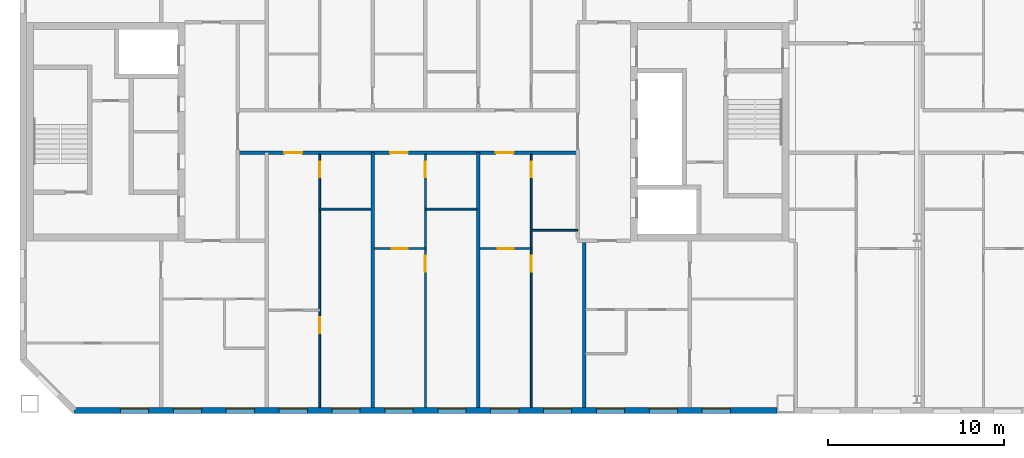
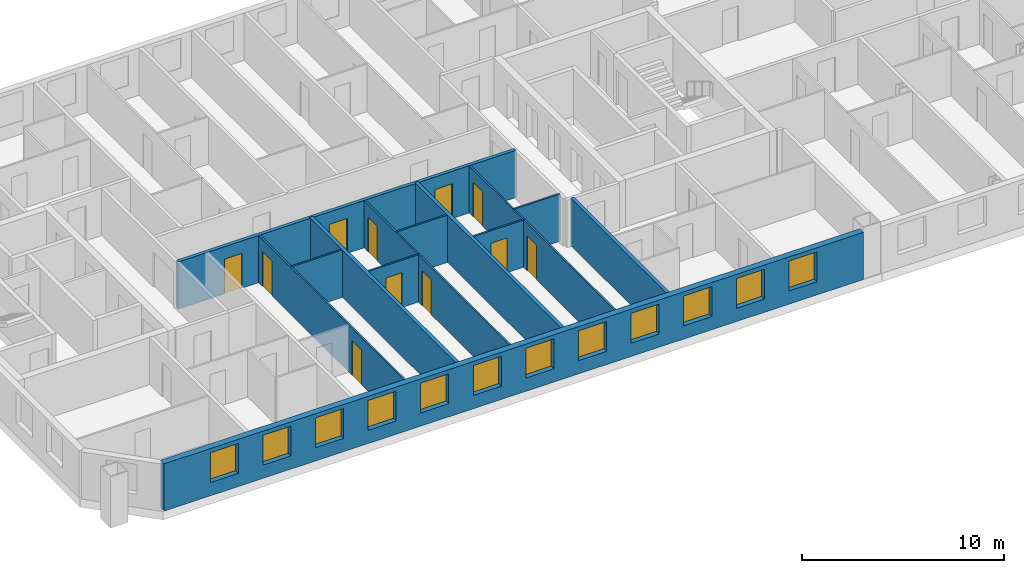
# One storey, part 5 of 19: 13 walls, 12 windows, 11 doors, 23 openings.
"""IFC4 building model written with IfcOpenShell, lengths in metres."""

from ifc_helpers import new_model, si_unit, direction, frame, frame_2d, origin, place, context, subcontext, project, spatial, rectangle, extrude, material, layer, layer_set, type_object, element, fill, save


model = new_model("IFC4")

# Units and contexts
model_context = context("Model", 3, precision=1e-05, world=origin(), true_north=direction((0.0, 1.0)))
body_context = subcontext(model_context, "Body", "Model", "MODEL_VIEW")
ifc_project = project(units=[si_unit("LENGTHUNIT", "METRE"), si_unit("AREAUNIT", "SQUARE_METRE"), si_unit("VOLUMEUNIT", "CUBIC_METRE"), si_unit("PLANEANGLEUNIT", "RADIAN"), si_unit("MASSUNIT", "GRAM", prefix="KILO")], contexts=[model_context])

# Site, building, storey
site_placement = place(None, origin())
site = spatial("IfcSite", under=ifc_project, at=site_placement, CompositionType="ELEMENT")
building_placement = place(site_placement, origin())
building = spatial("IfcBuilding", under=site, at=building_placement, Name="Tuart Gate Housing", CompositionType="ELEMENT")
storey_placement = place(building_placement, frame((0.0, 0.0, 202.800048828125)))
storey = spatial("IfcBuildingStorey", under=building, at=storey_placement, Name="L57", CompositionType="ELEMENT", Elevation=202.800048828125)

# Wall, openings, windows
ifc_material_1 = material(Name="Brick", Category="masonry")
ifc_layer_1 = layer(ifc_material_1, 0.360107421875)
ifc_layer_set_1 = layer_set([ifc_layer_1], Name="Brick pier and spandrel wall 360")
wall_type_1 = type_object("IfcWallType", Name="Brick pier and spandrel wall 360", PredefinedType="STANDARD", material=ifc_layer_set_1)
wall_1_placement = place(storey_placement, frame((35.07470703125, 54.179931640625, 0.0), z_axis=(0.0, 0.0, 1.0), x_axis=(1.0, 0.0, 0.0)))
wall_1 = element("IfcWall", 1, at=wall_1_placement, inside=storey, type_object=wall_type_1, Name="External wall BLK-S L57", PredefinedType="STANDARD", context=body_context, shape_type="SweptSolid", body=[
    extrude(rectangle(XDim=39.875244140625, YDim=0.360107421875, at=frame_2d((19.9375, 0.0))), origin(), (0.0, 0.0, 1.0), 2.849853515625),
])
opening_1_placement = place(wall_1_placement, frame((2.62548828125, 0.0, 0.800048828125)))
opening_1 = element("IfcOpeningElement", 2, at=opening_1_placement, cuts=wall_1, Name="Opening W1", PredefinedType="OPENING", context=body_context, shape_type="SweptSolid", body=[
    extrude(rectangle(XDim=1.60009765625, YDim=1.800048828125, at=frame_2d((0.800048828125, 0.89990234375))), frame((0.0, 0.18994140625, 0.0), z_axis=(0.0, -1.0, 0.0), x_axis=(1.0, 0.0, 0.0)), (0.0, 0.0, 1.0), 0.380126953125),
])
opening_2_placement = place(wall_1_placement, frame((5.62548828125, 0.0, 0.800048828125)))
opening_2 = element("IfcOpeningElement", 3, at=opening_2_placement, cuts=wall_1, Name="Opening W1", PredefinedType="OPENING", context=body_context, shape_type="SweptSolid", body=[
    extrude(rectangle(XDim=1.60009765625, YDim=1.800048828125, at=frame_2d((0.800048828125, 0.89990234375))), frame((0.0, 0.18994140625, 0.0), z_axis=(0.0, -1.0, 0.0), x_axis=(1.0, 0.0, 0.0)), (0.0, 0.0, 1.0), 0.380126953125),
])
opening_3_placement = place(wall_1_placement, frame((8.62548828125, 0.0, 0.800048828125)))
opening_3 = element("IfcOpeningElement", 4, at=opening_3_placement, cuts=wall_1, Name="Opening W1", PredefinedType="OPENING", context=body_context, shape_type="SweptSolid", body=[
    extrude(rectangle(XDim=1.60009765625, YDim=1.800048828125, at=frame_2d((0.800048828125, 0.89990234375))), frame((0.0, 0.18994140625, 0.0), z_axis=(0.0, -1.0, 0.0), x_axis=(1.0, 0.0, 0.0)), (0.0, 0.0, 1.0), 0.380126953125),
])
opening_4_placement = place(wall_1_placement, frame((11.62548828125, 0.0, 0.800048828125)))
opening_4 = element("IfcOpeningElement", 5, at=opening_4_placement, cuts=wall_1, Name="Opening W1", PredefinedType="OPENING", context=body_context, shape_type="SweptSolid", body=[
    extrude(rectangle(XDim=1.60009765625, YDim=1.800048828125, at=frame_2d((0.800048828125, 0.89990234375))), frame((0.0, 0.18994140625, 0.0), z_axis=(0.0, -1.0, 0.0), x_axis=(1.0, 0.0, 0.0)), (0.0, 0.0, 1.0), 0.380126953125),
])
opening_5_placement = place(wall_1_placement, frame((14.62548828125, 0.0, 0.800048828125)))
opening_5 = element("IfcOpeningElement", 6, at=opening_5_placement, cuts=wall_1, Name="Opening W1", PredefinedType="OPENING", context=body_context, shape_type="SweptSolid", body=[
    extrude(rectangle(XDim=1.60009765625, YDim=1.800048828125, at=frame_2d((0.800048828125, 0.89990234375))), frame((0.0, 0.18994140625, 0.0), z_axis=(0.0, -1.0, 0.0), x_axis=(1.0, 0.0, 0.0)), (0.0, 0.0, 1.0), 0.380126953125),
])
opening_6_placement = place(wall_1_placement, frame((17.62548828125, 0.0, 0.800048828125)))
opening_6 = element("IfcOpeningElement", 7, at=opening_6_placement, cuts=wall_1, Name="Opening W1", PredefinedType="OPENING", context=body_context, shape_type="SweptSolid", body=[
    extrude(rectangle(XDim=1.60009765625, YDim=1.800048828125, at=frame_2d((0.800048828125, 0.89990234375))), frame((0.0, 0.18994140625, 0.0), z_axis=(0.0, -1.0, 0.0), x_axis=(1.0, 0.0, 0.0)), (0.0, 0.0, 1.0), 0.380126953125),
])
opening_7_placement = place(wall_1_placement, frame((20.62548828125, 0.0, 0.800048828125)))
opening_7 = element("IfcOpeningElement", 8, at=opening_7_placement, cuts=wall_1, Name="Opening W1", PredefinedType="OPENING", context=body_context, shape_type="SweptSolid", body=[
    extrude(rectangle(XDim=1.60009765625, YDim=1.800048828125, at=frame_2d((0.800048828125, 0.89990234375))), frame((0.0, 0.18994140625, 0.0), z_axis=(0.0, -1.0, 0.0), x_axis=(1.0, 0.0, 0.0)), (0.0, 0.0, 1.0), 0.380126953125),
])
opening_8_placement = place(wall_1_placement, frame((23.62548828125, 0.0, 0.800048828125)))
opening_8 = element("IfcOpeningElement", 9, at=opening_8_placement, cuts=wall_1, Name="Opening W1", PredefinedType="OPENING", context=body_context, shape_type="SweptSolid", body=[
    extrude(rectangle(XDim=1.60009765625, YDim=1.800048828125, at=frame_2d((0.800048828125, 0.89990234375))), frame((0.0, 0.18994140625, 0.0), z_axis=(0.0, -1.0, 0.0), x_axis=(1.0, 0.0, 0.0)), (0.0, 0.0, 1.0), 0.380126953125),
])
opening_9_placement = place(wall_1_placement, frame((26.62548828125, 0.0, 0.800048828125)))
opening_9 = element("IfcOpeningElement", 10, at=opening_9_placement, cuts=wall_1, Name="Opening W1", PredefinedType="OPENING", context=body_context, shape_type="SweptSolid", body=[
    extrude(rectangle(XDim=1.60009765625, YDim=1.800048828125, at=frame_2d((0.800048828125, 0.89990234375))), frame((0.0, 0.18994140625, 0.0), z_axis=(0.0, -1.0, 0.0), x_axis=(1.0, 0.0, 0.0)), (0.0, 0.0, 1.0), 0.380126953125),
])
opening_10_placement = place(wall_1_placement, frame((29.62548828125, 0.0, 0.800048828125)))
opening_10 = element("IfcOpeningElement", 11, at=opening_10_placement, cuts=wall_1, Name="Opening W1", PredefinedType="OPENING", context=body_context, shape_type="SweptSolid", body=[
    extrude(rectangle(XDim=1.60009765625, YDim=1.800048828125, at=frame_2d((0.800048828125, 0.89990234375))), frame((0.0, 0.18994140625, 0.0), z_axis=(0.0, -1.0, 0.0), x_axis=(1.0, 0.0, 0.0)), (0.0, 0.0, 1.0), 0.380126953125),
])
opening_11_placement = place(wall_1_placement, frame((32.62548828125, 0.0, 0.800048828125)))
opening_11 = element("IfcOpeningElement", 12, at=opening_11_placement, cuts=wall_1, Name="Opening W1", PredefinedType="OPENING", context=body_context, shape_type="SweptSolid", body=[
    extrude(rectangle(XDim=1.60009765625, YDim=1.800048828125, at=frame_2d((0.800048828125, 0.89990234375))), frame((0.0, 0.18994140625, 0.0), z_axis=(0.0, -1.0, 0.0), x_axis=(1.0, 0.0, 0.0)), (0.0, 0.0, 1.0), 0.380126953125),
])
opening_12_placement = place(wall_1_placement, frame((35.62548828125, 0.0, 0.800048828125)))
opening_12 = element("IfcOpeningElement", 13, at=opening_12_placement, cuts=wall_1, Name="Opening W1", PredefinedType="OPENING", context=body_context, shape_type="SweptSolid", body=[
    extrude(rectangle(XDim=1.60009765625, YDim=1.800048828125, at=frame_2d((0.800048828125, 0.89990234375))), frame((0.0, 0.18994140625, 0.0), z_axis=(0.0, -1.0, 0.0), x_axis=(1.0, 0.0, 0.0)), (0.0, 0.0, 1.0), 0.380126953125),
])
ifc_material_2 = material(Name="Aluminium frame with clear glass", Category="aluminium")
window_type = type_object("IfcWindowType", Name="Punched window 1600 x 1800", PartitioningType="SINGLE_PANEL", PredefinedType="WINDOW", material=ifc_material_2)
window_1_placement = place(opening_1_placement, origin())
window_1 = element("IfcWindow", 14, at=window_1_placement, inside=storey, type_object=window_type, Name="Window W1", OverallHeight=1.800048828125, OverallWidth=1.60009765625, PartitioningType="SINGLE_PANEL", PredefinedType="WINDOW", context=body_context, shape_type="SweptSolid", body=[
    extrude(rectangle(XDim=1.60009765625, YDim=1.800048828125, at=frame_2d((0.800048828125, 0.89990234375))), frame((0.0, 0.150146484375, 0.0), z_axis=(0.0, -1.0, 0.0), x_axis=(1.0, 0.0, 0.0)), (0.0, 0.0, 1.0), 0.06005859375),
])
fill(opening_1, window_1)
window_2_placement = place(opening_2_placement, origin())
window_2 = element("IfcWindow", 15, at=window_2_placement, inside=storey, type_object=window_type, Name="Window W1", OverallHeight=1.800048828125, OverallWidth=1.60009765625, PartitioningType="SINGLE_PANEL", PredefinedType="WINDOW", context=body_context, shape_type="SweptSolid", body=[
    extrude(rectangle(XDim=1.60009765625, YDim=1.800048828125, at=frame_2d((0.800048828125, 0.89990234375))), frame((0.0, 0.150146484375, 0.0), z_axis=(0.0, -1.0, 0.0), x_axis=(1.0, 0.0, 0.0)), (0.0, 0.0, 1.0), 0.06005859375),
])
fill(opening_2, window_2)
window_3_placement = place(opening_3_placement, origin())
window_3 = element("IfcWindow", 16, at=window_3_placement, inside=storey, type_object=window_type, Name="Window W1", OverallHeight=1.800048828125, OverallWidth=1.60009765625, PartitioningType="SINGLE_PANEL", PredefinedType="WINDOW", context=body_context, shape_type="SweptSolid", body=[
    extrude(rectangle(XDim=1.60009765625, YDim=1.800048828125, at=frame_2d((0.800048828125, 0.89990234375))), frame((0.0, 0.150146484375, 0.0), z_axis=(0.0, -1.0, 0.0), x_axis=(1.0, 0.0, 0.0)), (0.0, 0.0, 1.0), 0.06005859375),
])
fill(opening_3, window_3)
window_4_placement = place(opening_4_placement, origin())
window_4 = element("IfcWindow", 17, at=window_4_placement, inside=storey, type_object=window_type, Name="Window W1", OverallHeight=1.800048828125, OverallWidth=1.60009765625, PartitioningType="SINGLE_PANEL", PredefinedType="WINDOW", context=body_context, shape_type="SweptSolid", body=[
    extrude(rectangle(XDim=1.60009765625, YDim=1.800048828125, at=frame_2d((0.800048828125, 0.89990234375))), frame((0.0, 0.150146484375, 0.0), z_axis=(0.0, -1.0, 0.0), x_axis=(1.0, 0.0, 0.0)), (0.0, 0.0, 1.0), 0.06005859375),
])
fill(opening_4, window_4)
window_5_placement = place(opening_5_placement, origin())
window_5 = element("IfcWindow", 18, at=window_5_placement, inside=storey, type_object=window_type, Name="Window W1", OverallHeight=1.800048828125, OverallWidth=1.60009765625, PartitioningType="SINGLE_PANEL", PredefinedType="WINDOW", context=body_context, shape_type="SweptSolid", body=[
    extrude(rectangle(XDim=1.60009765625, YDim=1.800048828125, at=frame_2d((0.800048828125, 0.89990234375))), frame((0.0, 0.150146484375, 0.0), z_axis=(0.0, -1.0, 0.0), x_axis=(1.0, 0.0, 0.0)), (0.0, 0.0, 1.0), 0.06005859375),
])
fill(opening_5, window_5)
window_6_placement = place(opening_6_placement, origin())
window_6 = element("IfcWindow", 19, at=window_6_placement, inside=storey, type_object=window_type, Name="Window W1", OverallHeight=1.800048828125, OverallWidth=1.60009765625, PartitioningType="SINGLE_PANEL", PredefinedType="WINDOW", context=body_context, shape_type="SweptSolid", body=[
    extrude(rectangle(XDim=1.60009765625, YDim=1.800048828125, at=frame_2d((0.800048828125, 0.89990234375))), frame((0.0, 0.150146484375, 0.0), z_axis=(0.0, -1.0, 0.0), x_axis=(1.0, 0.0, 0.0)), (0.0, 0.0, 1.0), 0.06005859375),
])
fill(opening_6, window_6)
window_7_placement = place(opening_7_placement, origin())
window_7 = element("IfcWindow", 20, at=window_7_placement, inside=storey, type_object=window_type, Name="Window W1", OverallHeight=1.800048828125, OverallWidth=1.60009765625, PartitioningType="SINGLE_PANEL", PredefinedType="WINDOW", context=body_context, shape_type="SweptSolid", body=[
    extrude(rectangle(XDim=1.60009765625, YDim=1.800048828125, at=frame_2d((0.800048828125, 0.89990234375))), frame((0.0, 0.150146484375, 0.0), z_axis=(0.0, -1.0, 0.0), x_axis=(1.0, 0.0, 0.0)), (0.0, 0.0, 1.0), 0.06005859375),
])
fill(opening_7, window_7)
window_8_placement = place(opening_8_placement, origin())
window_8 = element("IfcWindow", 21, at=window_8_placement, inside=storey, type_object=window_type, Name="Window W1", OverallHeight=1.800048828125, OverallWidth=1.60009765625, PartitioningType="SINGLE_PANEL", PredefinedType="WINDOW", context=body_context, shape_type="SweptSolid", body=[
    extrude(rectangle(XDim=1.60009765625, YDim=1.800048828125, at=frame_2d((0.800048828125, 0.89990234375))), frame((0.0, 0.150146484375, 0.0), z_axis=(0.0, -1.0, 0.0), x_axis=(1.0, 0.0, 0.0)), (0.0, 0.0, 1.0), 0.06005859375),
])
fill(opening_8, window_8)
window_9_placement = place(opening_9_placement, origin())
window_9 = element("IfcWindow", 22, at=window_9_placement, inside=storey, type_object=window_type, Name="Window W1", OverallHeight=1.800048828125, OverallWidth=1.60009765625, PartitioningType="SINGLE_PANEL", PredefinedType="WINDOW", context=body_context, shape_type="SweptSolid", body=[
    extrude(rectangle(XDim=1.60009765625, YDim=1.800048828125, at=frame_2d((0.800048828125, 0.89990234375))), frame((0.0, 0.150146484375, 0.0), z_axis=(0.0, -1.0, 0.0), x_axis=(1.0, 0.0, 0.0)), (0.0, 0.0, 1.0), 0.06005859375),
])
fill(opening_9, window_9)
window_10_placement = place(opening_10_placement, origin())
window_10 = element("IfcWindow", 23, at=window_10_placement, inside=storey, type_object=window_type, Name="Window W1", OverallHeight=1.800048828125, OverallWidth=1.60009765625, PartitioningType="SINGLE_PANEL", PredefinedType="WINDOW", context=body_context, shape_type="SweptSolid", body=[
    extrude(rectangle(XDim=1.60009765625, YDim=1.800048828125, at=frame_2d((0.800048828125, 0.89990234375))), frame((0.0, 0.150146484375, 0.0), z_axis=(0.0, -1.0, 0.0), x_axis=(1.0, 0.0, 0.0)), (0.0, 0.0, 1.0), 0.06005859375),
])
fill(opening_10, window_10)
window_11_placement = place(opening_11_placement, origin())
window_11 = element("IfcWindow", 24, at=window_11_placement, inside=storey, type_object=window_type, Name="Window W1", OverallHeight=1.800048828125, OverallWidth=1.60009765625, PartitioningType="SINGLE_PANEL", PredefinedType="WINDOW", context=body_context, shape_type="SweptSolid", body=[
    extrude(rectangle(XDim=1.60009765625, YDim=1.800048828125, at=frame_2d((0.800048828125, 0.89990234375))), frame((0.0, 0.150146484375, 0.0), z_axis=(0.0, -1.0, 0.0), x_axis=(1.0, 0.0, 0.0)), (0.0, 0.0, 1.0), 0.06005859375),
])
fill(opening_11, window_11)
window_12_placement = place(opening_12_placement, origin())
window_12 = element("IfcWindow", 25, at=window_12_placement, inside=storey, type_object=window_type, Name="Window W1", OverallHeight=1.800048828125, OverallWidth=1.60009765625, PartitioningType="SINGLE_PANEL", PredefinedType="WINDOW", context=body_context, shape_type="SweptSolid", body=[
    extrude(rectangle(XDim=1.60009765625, YDim=1.800048828125, at=frame_2d((0.800048828125, 0.89990234375))), frame((0.0, 0.150146484375, 0.0), z_axis=(0.0, -1.0, 0.0), x_axis=(1.0, 0.0, 0.0)), (0.0, 0.0, 1.0), 0.06005859375),
])
fill(opening_12, window_12)

# Wall, openings, doors
ifc_material_3 = material(Name="Concrete masonry 15 MPa", Category="masonry")
ifc_layer_2 = layer(ifc_material_3, 0.199951171875)
ifc_layer_set_2 = layer_set([ifc_layer_2], Name="Corridor wall masonry 200")
wall_type_2 = type_object("IfcWallType", Name="Corridor wall masonry 200", PredefinedType="PARTITIONING", material=ifc_layer_set_2)
wall_2_placement = place(storey_placement, frame((44.360107421875, 68.800048828125, 0.0), z_axis=(0.0, 0.0, 1.0), x_axis=(1.0, 0.0, 0.0)))
wall_2 = element("IfcWall", 26, at=wall_2_placement, inside=storey, type_object=wall_type_2, Name="Corridor wall masonry 200", PredefinedType="PARTITIONING", context=body_context, shape_type="SweptSolid", body=[
    extrude(rectangle(XDim=19.27978515625, YDim=0.199951171875, at=frame_2d((9.639892578125, 0.0))), origin(), (0.0, 0.0, 1.0), 2.849853515625),
])
opening_13_placement = place(wall_2_placement, frame((14.639892578125, 0.0, 0.0)))
opening_13 = element("IfcOpeningElement", 27, at=opening_13_placement, cuts=wall_2, Name="Opening D1978", PredefinedType="OPENING", context=body_context, shape_type="SweptSolid", body=[
    extrude(rectangle(XDim=1.0, YDim=2.10009765625, at=frame_2d((0.5, 1.050048828125))), frame((0.0, 0.10986328125, 0.0), z_axis=(0.0, -1.0, 0.0), x_axis=(1.0, 0.0, 0.0)), (0.0, 0.0, 1.0), 0.219970703125),
])
opening_14_placement = place(wall_2_placement, frame((8.639892578125, 0.0, 0.0)))
opening_14 = element("IfcOpeningElement", 28, at=opening_14_placement, cuts=wall_2, Name="Opening D1979", PredefinedType="OPENING", context=body_context, shape_type="SweptSolid", body=[
    extrude(rectangle(XDim=1.0, YDim=2.10009765625, at=frame_2d((0.5, 1.050048828125))), frame((0.0, 0.10986328125, 0.0), z_axis=(0.0, -1.0, 0.0), x_axis=(1.0, 0.0, 0.0)), (0.0, 0.0, 1.0), 0.219970703125),
])
opening_15_placement = place(wall_2_placement, frame((2.639892578125, 0.0, 0.0)))
opening_15 = element("IfcOpeningElement", 29, at=opening_15_placement, cuts=wall_2, Name="Opening D1980", PredefinedType="OPENING", context=body_context, shape_type="SweptSolid", body=[
    extrude(rectangle(XDim=1.0, YDim=2.10009765625, at=frame_2d((0.5, 1.050048828125))), frame((0.0, 0.10986328125, 0.0), z_axis=(0.0, -1.0, 0.0), x_axis=(1.0, 0.0, 0.0)), (0.0, 0.0, 1.0), 0.219970703125),
])
ifc_material_4 = material(Name="Timber door leaf in steel frame", Category="steel")
door_type_1 = type_object("IfcDoorType", Name="Flat entrance door 1000 RH", OperationType="SINGLE_SWING_RIGHT", PredefinedType="DOOR", material=ifc_material_4)
door_1_placement = place(opening_13_placement, frame((1.0, 0.0, 0.0), z_axis=(0.0, 0.0, 1.0), x_axis=(-1.0, 0.0, 0.0)))
door_1 = element("IfcDoor", 30, at=door_1_placement, inside=storey, type_object=door_type_1, Name="Flat entrance door", OperationType="SINGLE_SWING_RIGHT", OverallHeight=2.10009765625, OverallWidth=1.0, PredefinedType="DOOR", context=body_context, shape_type="SweptSolid", body=[
    extrude(rectangle(XDim=1.0, YDim=2.10009765625, at=frame_2d((0.5, 1.050048828125))), frame((0.0, 0.025146484375, 0.0), z_axis=(0.0, -1.0, 0.0), x_axis=(1.0, 0.0, 0.0)), (0.0, 0.0, 1.0), 0.050048828125),
])
fill(opening_13, door_1)
door_2_placement = place(opening_14_placement, frame((1.0, 0.0, 0.0), z_axis=(0.0, 0.0, 1.0), x_axis=(-1.0, 0.0, 0.0)))
door_2 = element("IfcDoor", 31, at=door_2_placement, inside=storey, type_object=door_type_1, Name="Flat entrance door", OperationType="SINGLE_SWING_RIGHT", OverallHeight=2.10009765625, OverallWidth=1.0, PredefinedType="DOOR", context=body_context, shape_type="SweptSolid", body=[
    extrude(rectangle(XDim=1.0, YDim=2.10009765625, at=frame_2d((0.5, 1.050048828125))), frame((0.0, 0.025146484375, 0.0), z_axis=(0.0, -1.0, 0.0), x_axis=(1.0, 0.0, 0.0)), (0.0, 0.0, 1.0), 0.050048828125),
])
fill(opening_14, door_2)
door_3_placement = place(opening_15_placement, frame((1.0, 0.0, 0.0), z_axis=(0.0, 0.0, 1.0), x_axis=(-1.0, 0.0, 0.0)))
door_3 = element("IfcDoor", 32, at=door_3_placement, inside=storey, type_object=door_type_1, Name="Flat entrance door", OperationType="SINGLE_SWING_RIGHT", OverallHeight=2.10009765625, OverallWidth=1.0, PredefinedType="DOOR", context=body_context, shape_type="SweptSolid", body=[
    extrude(rectangle(XDim=1.0, YDim=2.10009765625, at=frame_2d((0.5, 1.050048828125))), frame((0.0, 0.025146484375, 0.0), z_axis=(0.0, -1.0, 0.0), x_axis=(1.0, 0.0, 0.0)), (0.0, 0.0, 1.0), 0.050048828125),
])
fill(opening_15, door_3)

# Wall, opening, door
ifc_material_5 = material(Name="Gypsum board on steel studs", Category="steel")
ifc_layer_3 = layer(ifc_material_5, 0.10009765625)
ifc_layer_set_3 = layer_set([ifc_layer_3], Name="Partition 100")
wall_type_3 = type_object("IfcWallType", Name="Partition 100", PredefinedType="PARTITIONING", material=ifc_layer_set_3)
wall_3_placement = place(storey_placement, frame((52.10009765625, 63.360107421875, 0.0), z_axis=(0.0, 0.0, 1.0), x_axis=(1.0, 0.0, 0.0)))
wall_3 = element("IfcWall", 33, at=wall_3_placement, inside=storey, type_object=wall_type_3, Name="Partition 100", PredefinedType="PARTITIONING", context=body_context, shape_type="SweptSolid", body=[
    extrude(rectangle(XDim=2.89990234375, YDim=0.10009765625, at=frame_2d((1.449951171875, 0.0))), origin(), (0.0, 0.0, 1.0), 2.849853515625),
])
opening_16_placement = place(wall_3_placement, frame((1.0, 0.0, 0.0)))
opening_16 = element("IfcOpeningElement", 34, at=opening_16_placement, cuts=wall_3, Name="Opening D1985", PredefinedType="OPENING", context=body_context, shape_type="SweptSolid", body=[
    extrude(rectangle(XDim=0.89990234375, YDim=2.10009765625, at=frame_2d((0.449951171875, 1.050048828125))), frame((0.0, 0.06005859375, 0.0), z_axis=(0.0, -1.0, 0.0), x_axis=(1.0, 0.0, 0.0)), (0.0, 0.0, 1.0), 0.1201171875),
])
ifc_material_6 = material(Name="Timber door leaf in steel frame", Category="steel")
door_type_2 = type_object("IfcDoorType", Name="Internal door 900 RH", OperationType="SINGLE_SWING_RIGHT", PredefinedType="DOOR", material=ifc_material_6)
door_4_placement = place(opening_16_placement, origin())
door_4 = element("IfcDoor", 35, at=door_4_placement, inside=storey, type_object=door_type_2, Name="Internal door", OperationType="SINGLE_SWING_RIGHT", OverallHeight=2.10009765625, OverallWidth=0.89990234375, PredefinedType="DOOR", context=body_context, shape_type="SweptSolid", body=[
    extrude(rectangle(XDim=0.89990234375, YDim=2.10009765625, at=frame_2d((0.449951171875, 1.050048828125))), frame((0.0, 0.02490234375, 0.0), z_axis=(0.0, -1.0, 0.0), x_axis=(1.0, 0.0, 0.0)), (0.0, 0.0, 1.0), 0.050048828125),
])
fill(opening_16, door_4)

wall_4_placement = place(storey_placement, frame((58.10009765625, 63.360107421875, 0.0), z_axis=(0.0, 0.0, 1.0), x_axis=(1.0, 0.0, 0.0)))
wall_4 = element("IfcWall", 36, at=wall_4_placement, inside=storey, type_object=wall_type_3, Name="Partition 100", PredefinedType="PARTITIONING", context=body_context, shape_type="SweptSolid", body=[
    extrude(rectangle(XDim=2.89990234375, YDim=0.10009765625, at=frame_2d((1.449951171875, 0.0))), origin(), (0.0, 0.0, 1.0), 2.849853515625),
])
opening_17_placement = place(wall_4_placement, frame((1.0, 0.0, 0.0)))
opening_17 = element("IfcOpeningElement", 37, at=opening_17_placement, cuts=wall_4, Name="Opening D1986", PredefinedType="OPENING", context=body_context, shape_type="SweptSolid", body=[
    extrude(rectangle(XDim=0.89990234375, YDim=2.10009765625, at=frame_2d((0.449951171875, 1.050048828125))), frame((0.0, 0.06005859375, 0.0), z_axis=(0.0, -1.0, 0.0), x_axis=(1.0, 0.0, 0.0)), (0.0, 0.0, 1.0), 0.1201171875),
])
door_5_placement = place(opening_17_placement, origin())
door_5 = element("IfcDoor", 38, at=door_5_placement, inside=storey, type_object=door_type_2, Name="Internal door", OperationType="SINGLE_SWING_RIGHT", OverallHeight=2.10009765625, OverallWidth=0.89990234375, PredefinedType="DOOR", context=body_context, shape_type="SweptSolid", body=[
    extrude(rectangle(XDim=0.89990234375, YDim=2.10009765625, at=frame_2d((0.449951171875, 1.050048828125))), frame((0.0, 0.02490234375, 0.0), z_axis=(0.0, -1.0, 0.0), x_axis=(1.0, 0.0, 0.0)), (0.0, 0.0, 1.0), 0.050048828125),
])
fill(opening_17, door_5)

# Walls
wall_5_placement = place(storey_placement, frame((61.0, 64.39990234375, 0.0), z_axis=(0.0, 0.0, 1.0), x_axis=(1.0, 0.0, 0.0)))
element("IfcWall", 39, at=wall_5_placement, inside=storey, type_object=wall_type_3, Name="Partition 100", PredefinedType="PARTITIONING", context=body_context, shape_type="SweptSolid", body=[
    extrude(rectangle(XDim=2.639892578125, YDim=0.10009765625, at=frame_2d((1.31982421875, 0.0))), origin(), (0.0, 0.0, 1.0), 2.849853515625),
])
for number, where, z_axis, x_axis, name in (
    (40, (49.0, 65.60009765625, 0.0), (0.0, 0.0, 1.0), (1.0, 0.0, 0.0), "Partition 100"),
    (41, (55.0, 65.60009765625, 0.0), (0.0, 0.0, 1.0), (1.0, 0.0, 0.0), "Partition 100"),
):
    element("IfcWall", number, at=place(storey_placement, frame(where, z_axis=z_axis, x_axis=x_axis)), inside=storey, type_object=wall_type_3, Name=name, PredefinedType="PARTITIONING", context=body_context, shape_type="SweptSolid", body=[
        extrude(rectangle(XDim=2.89990234375, YDim=0.10009765625, at=frame_2d((1.449951171875, 0.0))), origin(), (0.0, 0.0, 1.0), 2.849853515625),
    ])

# Wall, openings, doors
wall_6_placement = place(storey_placement, frame((49.0, 54.360107421875, 0.0), z_axis=(0.0, 0.0, 1.0), x_axis=(0.0, 1.0, 0.0)))
wall_6 = element("IfcWall", 42, at=wall_6_placement, inside=storey, type_object=wall_type_3, Name="Partition 100", PredefinedType="PARTITIONING", context=body_context, shape_type="SweptSolid", body=[
    extrude(rectangle(XDim=14.33984375, YDim=0.10009765625, at=frame_2d((7.169921875, 0.0))), origin(), (0.0, 0.0, 1.0), 2.849853515625),
])
opening_18_placement = place(wall_6_placement, frame((4.199951171875, 0.0, 0.0)))
opening_18 = element("IfcOpeningElement", 43, at=opening_18_placement, cuts=wall_6, Name="Opening D1988", PredefinedType="OPENING", context=body_context, shape_type="SweptSolid", body=[
    extrude(rectangle(XDim=0.89990234375, YDim=2.10009765625, at=frame_2d((0.449951171875, 1.050048828125))), frame((0.0, 0.06005859375, 0.0), z_axis=(0.0, -1.0, 0.0), x_axis=(1.0, 0.0, 0.0)), (0.0, 0.0, 1.0), 0.1201171875),
])
opening_19_placement = place(wall_6_placement, frame((13.0400390625, 0.0, 0.0)))
opening_19 = element("IfcOpeningElement", 44, at=opening_19_placement, cuts=wall_6, Name="Opening D1987", PredefinedType="OPENING", context=body_context, shape_type="SweptSolid", body=[
    extrude(rectangle(XDim=0.89990234375, YDim=2.10009765625, at=frame_2d((0.449951171875, 1.050048828125))), frame((0.0, 0.06005859375, 0.0), z_axis=(0.0, -1.0, 0.0), x_axis=(1.0, 0.0, 0.0)), (0.0, 0.0, 1.0), 0.1201171875),
])
ifc_material_7 = material(Name="Timber door leaf in steel frame", Category="steel")
door_type_3 = type_object("IfcDoorType", Name="Bathroom door 900", OperationType="SINGLE_SWING_LEFT", PredefinedType="DOOR", material=ifc_material_7)
door_6_placement = place(opening_19_placement, frame((0.89990234375, 0.0, 0.0), z_axis=(0.0, 0.0, 1.0), x_axis=(-1.0, 0.0, 0.0)))
door_6 = element("IfcDoor", 45, at=door_6_placement, inside=storey, type_object=door_type_3, Name="Bathroom door", OperationType="SINGLE_SWING_LEFT", OverallHeight=2.10009765625, OverallWidth=0.89990234375, PredefinedType="DOOR", context=body_context, shape_type="SweptSolid", body=[
    extrude(rectangle(XDim=0.89990234375, YDim=2.10009765625, at=frame_2d((0.449951171875, 1.050048828125))), frame((0.0, 0.025146484375, 0.0), z_axis=(0.0, -1.0, 0.0), x_axis=(1.0, 0.0, 0.0)), (0.0, 0.0, 1.0), 0.050048828125),
])
fill(opening_19, door_6)
door_7_placement = place(opening_18_placement, frame((0.89990234375, 0.0, 0.0), z_axis=(0.0, 0.0, 1.0), x_axis=(-1.0, 0.0, 0.0)))
door_7 = element("IfcDoor", 46, at=door_7_placement, inside=storey, type_object=door_type_2, Name="Internal door", OperationType="SINGLE_SWING_RIGHT", OverallHeight=2.10009765625, OverallWidth=0.89990234375, PredefinedType="DOOR", context=body_context, shape_type="SweptSolid", body=[
    extrude(rectangle(XDim=0.89990234375, YDim=2.10009765625, at=frame_2d((0.449951171875, 1.050048828125))), frame((0.0, 0.025146484375, 0.0), z_axis=(0.0, -1.0, 0.0), x_axis=(1.0, 0.0, 0.0)), (0.0, 0.0, 1.0), 0.050048828125),
])
fill(opening_18, door_7)

wall_7_placement = place(storey_placement, frame((55.0, 54.360107421875, 0.0), z_axis=(0.0, 0.0, 1.0), x_axis=(0.0, 1.0, 0.0)))
wall_7 = element("IfcWall", 47, at=wall_7_placement, inside=storey, type_object=wall_type_3, Name="Partition 100", PredefinedType="PARTITIONING", context=body_context, shape_type="SweptSolid", body=[
    extrude(rectangle(XDim=14.33984375, YDim=0.10009765625, at=frame_2d((7.169921875, 0.0))), origin(), (0.0, 0.0, 1.0), 2.849853515625),
])
opening_20_placement = place(wall_7_placement, frame((7.699951171875, 0.0, 0.0)))
opening_20 = element("IfcOpeningElement", 48, at=opening_20_placement, cuts=wall_7, Name="Opening D1990", PredefinedType="OPENING", context=body_context, shape_type="SweptSolid", body=[
    extrude(rectangle(XDim=0.89990234375, YDim=2.10009765625, at=frame_2d((0.449951171875, 1.050048828125))), frame((0.0, 0.06005859375, 0.0), z_axis=(0.0, -1.0, 0.0), x_axis=(1.0, 0.0, 0.0)), (0.0, 0.0, 1.0), 0.1201171875),
])
opening_21_placement = place(wall_7_placement, frame((13.0400390625, 0.0, 0.0)))
opening_21 = element("IfcOpeningElement", 49, at=opening_21_placement, cuts=wall_7, Name="Opening D1989", PredefinedType="OPENING", context=body_context, shape_type="SweptSolid", body=[
    extrude(rectangle(XDim=0.89990234375, YDim=2.10009765625, at=frame_2d((0.449951171875, 1.050048828125))), frame((0.0, 0.06005859375, 0.0), z_axis=(0.0, -1.0, 0.0), x_axis=(1.0, 0.0, 0.0)), (0.0, 0.0, 1.0), 0.1201171875),
])
door_8_placement = place(opening_21_placement, frame((0.89990234375, 0.0, 0.0), z_axis=(0.0, 0.0, 1.0), x_axis=(-1.0, 0.0, 0.0)))
door_8 = element("IfcDoor", 50, at=door_8_placement, inside=storey, type_object=door_type_3, Name="Bathroom door", OperationType="SINGLE_SWING_LEFT", OverallHeight=2.10009765625, OverallWidth=0.89990234375, PredefinedType="DOOR", context=body_context, shape_type="SweptSolid", body=[
    extrude(rectangle(XDim=0.89990234375, YDim=2.10009765625, at=frame_2d((0.449951171875, 1.050048828125))), frame((0.0, 0.025146484375, 0.0), z_axis=(0.0, -1.0, 0.0), x_axis=(1.0, 0.0, 0.0)), (0.0, 0.0, 1.0), 0.050048828125),
])
fill(opening_21, door_8)
ifc_material_8 = material(Name="Timber door leaf in steel frame", Category="steel")
door_type_4 = type_object("IfcDoorType", Name="Internal door 900", OperationType="SINGLE_SWING_LEFT", PredefinedType="DOOR", material=ifc_material_8)
door_9_placement = place(opening_20_placement, frame((0.89990234375, 0.0, 0.0), z_axis=(0.0, 0.0, 1.0), x_axis=(-1.0, 0.0, 0.0)))
door_9 = element("IfcDoor", 51, at=door_9_placement, inside=storey, type_object=door_type_4, Name="Internal door", OperationType="SINGLE_SWING_LEFT", OverallHeight=2.10009765625, OverallWidth=0.89990234375, PredefinedType="DOOR", context=body_context, shape_type="SweptSolid", body=[
    extrude(rectangle(XDim=0.89990234375, YDim=2.10009765625, at=frame_2d((0.449951171875, 1.050048828125))), frame((0.0, 0.025146484375, 0.0), z_axis=(0.0, -1.0, 0.0), x_axis=(1.0, 0.0, 0.0)), (0.0, 0.0, 1.0), 0.050048828125),
])
fill(opening_20, door_9)

wall_8_placement = place(storey_placement, frame((61.0, 54.360107421875, 0.0), z_axis=(0.0, 0.0, 1.0), x_axis=(0.0, 1.0, 0.0)))
wall_8 = element("IfcWall", 52, at=wall_8_placement, inside=storey, type_object=wall_type_3, Name="Partition 100", PredefinedType="PARTITIONING", context=body_context, shape_type="SweptSolid", body=[
    extrude(rectangle(XDim=14.33984375, YDim=0.10009765625, at=frame_2d((7.169921875, 0.0))), origin(), (0.0, 0.0, 1.0), 2.849853515625),
])
opening_22_placement = place(wall_8_placement, frame((7.699951171875, 0.0, 0.0)))
opening_22 = element("IfcOpeningElement", 53, at=opening_22_placement, cuts=wall_8, Name="Opening D1992", PredefinedType="OPENING", context=body_context, shape_type="SweptSolid", body=[
    extrude(rectangle(XDim=0.89990234375, YDim=2.10009765625, at=frame_2d((0.449951171875, 1.050048828125))), frame((0.0, 0.06005859375, 0.0), z_axis=(0.0, -1.0, 0.0), x_axis=(1.0, 0.0, 0.0)), (0.0, 0.0, 1.0), 0.1201171875),
])
opening_23_placement = place(wall_8_placement, frame((13.0400390625, 0.0, 0.0)))
opening_23 = element("IfcOpeningElement", 54, at=opening_23_placement, cuts=wall_8, Name="Opening D1991", PredefinedType="OPENING", context=body_context, shape_type="SweptSolid", body=[
    extrude(rectangle(XDim=0.89990234375, YDim=2.10009765625, at=frame_2d((0.449951171875, 1.050048828125))), frame((0.0, 0.06005859375, 0.0), z_axis=(0.0, -1.0, 0.0), x_axis=(1.0, 0.0, 0.0)), (0.0, 0.0, 1.0), 0.1201171875),
])
door_10_placement = place(opening_23_placement, frame((0.89990234375, 0.0, 0.0), z_axis=(0.0, 0.0, 1.0), x_axis=(-1.0, 0.0, 0.0)))
door_10 = element("IfcDoor", 55, at=door_10_placement, inside=storey, type_object=door_type_3, Name="Bathroom door", OperationType="SINGLE_SWING_LEFT", OverallHeight=2.10009765625, OverallWidth=0.89990234375, PredefinedType="DOOR", context=body_context, shape_type="SweptSolid", body=[
    extrude(rectangle(XDim=0.89990234375, YDim=2.10009765625, at=frame_2d((0.449951171875, 1.050048828125))), frame((0.0, 0.025146484375, 0.0), z_axis=(0.0, -1.0, 0.0), x_axis=(1.0, 0.0, 0.0)), (0.0, 0.0, 1.0), 0.050048828125),
])
fill(opening_23, door_10)
door_11_placement = place(opening_22_placement, frame((0.89990234375, 0.0, 0.0), z_axis=(0.0, 0.0, 1.0), x_axis=(-1.0, 0.0, 0.0)))
door_11 = element("IfcDoor", 56, at=door_11_placement, inside=storey, type_object=door_type_4, Name="Internal door", OperationType="SINGLE_SWING_LEFT", OverallHeight=2.10009765625, OverallWidth=0.89990234375, PredefinedType="DOOR", context=body_context, shape_type="SweptSolid", body=[
    extrude(rectangle(XDim=0.89990234375, YDim=2.10009765625, at=frame_2d((0.449951171875, 1.050048828125))), frame((0.0, 0.025146484375, 0.0), z_axis=(0.0, -1.0, 0.0), x_axis=(1.0, 0.0, 0.0)), (0.0, 0.0, 1.0), 0.050048828125),
])
fill(opening_22, door_11)

# Walls
ifc_material_9 = material(Name="Concrete C40", Category="concrete")
ifc_layer_4 = layer(ifc_material_9, 0.199951171875)
ifc_layer_set_4 = layer_set([ifc_layer_4], Name="Party wall concrete C40 200")
wall_type_4 = type_object("IfcWallType", Name="Party wall concrete C40 200", PredefinedType="SOLIDWALL", material=ifc_layer_set_4)
for number, where, z_axis, x_axis, name in (
    (57, (52.0, 54.360107421875, 0.0), (0.0, 0.0, 1.0), (0.0, 1.0, 0.0), "Party wall concrete C40 200"),
    (58, (58.0, 54.360107421875, 0.0), (0.0, 0.0, 1.0), (0.0, 1.0, 0.0), "Party wall concrete C40 200"),
):
    element("IfcWall", number, at=place(storey_placement, frame(where, z_axis=z_axis, x_axis=x_axis)), inside=storey, type_object=wall_type_4, Name=name, PredefinedType="SOLIDWALL", context=body_context, shape_type="SweptSolid", body=[
        extrude(rectangle(XDim=14.43994140625, YDim=0.199951171875, at=frame_2d((7.219970703125, 0.0))), origin(), (0.0, 0.0, 1.0), 2.849853515625),
    ])
wall_9_placement = place(storey_placement, frame((64.0, 54.360107421875, 0.0), z_axis=(0.0, 0.0, 1.0), x_axis=(0.0, 1.0, 0.0)))
element("IfcWall", 59, at=wall_9_placement, inside=storey, type_object=wall_type_4, Name="Party wall concrete C40 200", PredefinedType="SOLIDWALL", context=body_context, shape_type="SweptSolid", body=[
    extrude(rectangle(XDim=9.43994140625, YDim=0.199951171875, at=frame_2d((4.719970703125, 0.0))), origin(), (0.0, 0.0, 1.0), 2.849853515625),
])

save(model, "model.ifc")
